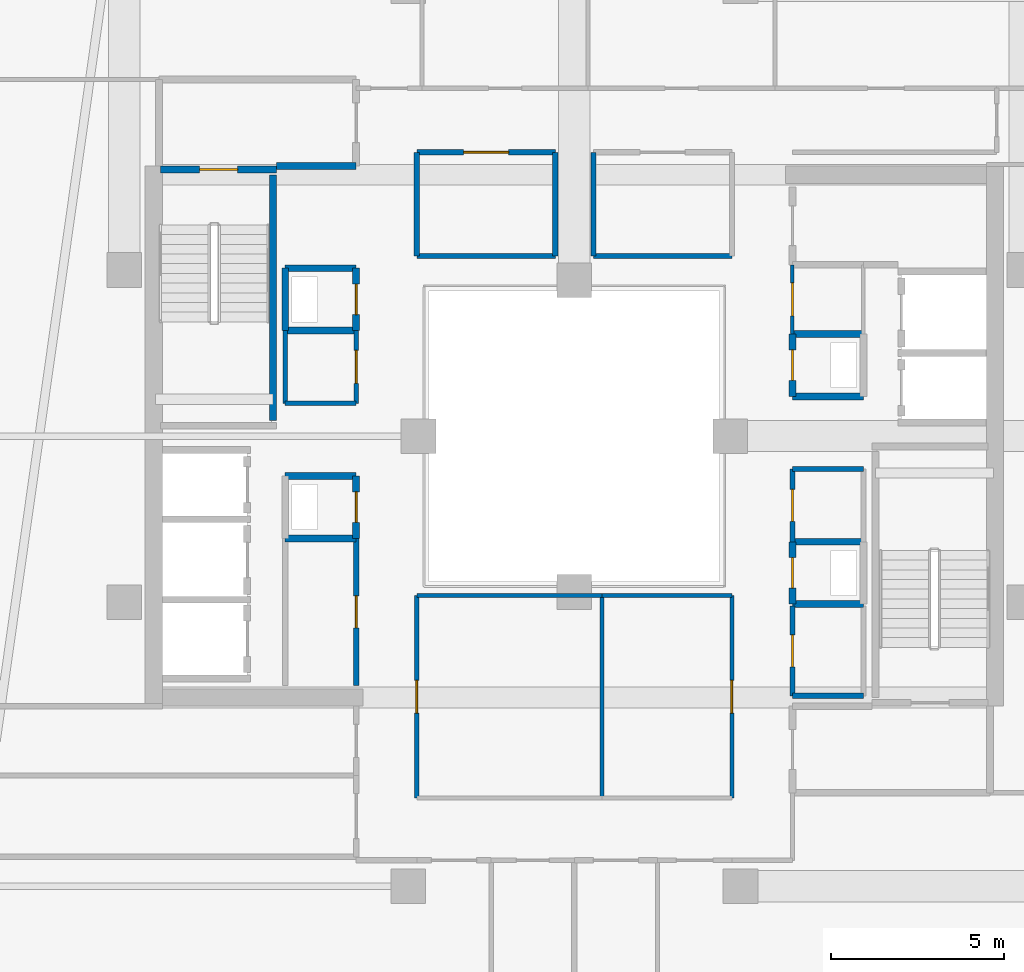
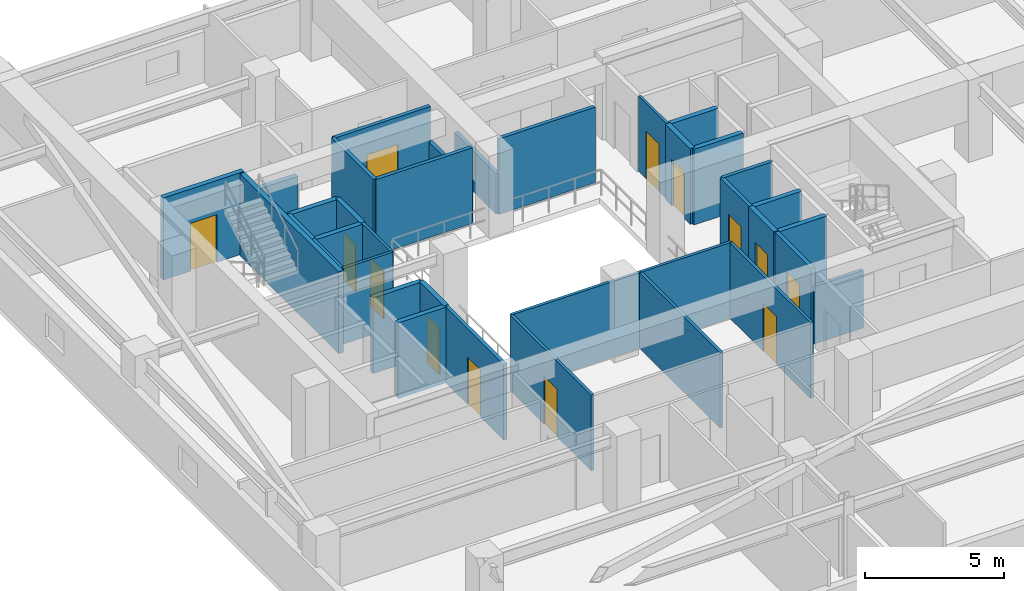
# One storey, part 25 of 34: 36 walls, 13 doors, 13 openings.
"""IFC4 building model written with IfcOpenShell, lengths in metres."""

from ifc_helpers import new_model, si_unit, direction, frame, frame_2d, origin, place, context, subcontext, project, spatial, rectangle, extrude, material, layer, layer_set, type_object, element, fill, save


model = new_model("IFC4")

# Units and contexts
model_context = context("Model", 3, precision=1e-05, world=origin(), true_north=direction((0.0, 1.0)))
body_context = subcontext(model_context, "Body", "Model", "MODEL_VIEW")
ifc_project = project(units=[si_unit("LENGTHUNIT", "METRE"), si_unit("AREAUNIT", "SQUARE_METRE"), si_unit("VOLUMEUNIT", "CUBIC_METRE"), si_unit("PLANEANGLEUNIT", "RADIAN"), si_unit("MASSUNIT", "GRAM", prefix="KILO")], contexts=[model_context])

# Site, building, storey
site_placement = place(None, origin())
site = spatial("IfcSite", under=ifc_project, at=site_placement, CompositionType="ELEMENT")
building_placement = place(site_placement, origin())
building = spatial("IfcBuilding", under=site, at=building_placement, Name="Thornwick Lancets Civic Towers", CompositionType="ELEMENT")
storey_placement = place(building_placement, frame((0.0, 0.0, 251.10009765625)))
storey = spatial("IfcBuildingStorey", under=building, at=storey_placement, Name="L67", CompositionType="ELEMENT", Elevation=251.10009765625)

# Walls
ifc_material_1 = material(Name="Concrete blockwork C40/50", Category="masonry")
ifc_layer_1 = layer(ifc_material_1, 0.199951171875, Name="Concrete blockwork C40/50")
ifc_layer_set_1 = layer_set([ifc_layer_1], Name="Concrete blockwork C40/50")
wall_type_1 = type_object("IfcWallType", Name="WALL_COMP_200", PredefinedType="STANDARD", material=ifc_layer_set_1)
wall_1_placement = place(storey_placement, frame((79.89990234375, 34.800048828125, 0.0), z_axis=(0.0, 0.0, 1.0), x_axis=(1.0, 0.0, 0.0)))
element("IfcWall", 1, at=wall_1_placement, inside=storey, type_object=wall_type_1, Name="L67 Partition L67-B-FFLOB2 E1", PredefinedType="STANDARD", context=body_context, shape_type="SweptSolid", body=[
    extrude(rectangle(XDim=2.300048828125, YDim=0.199951171875, at=frame_2d((1.14990234375, 0.0))), origin(), (0.0, 0.0, 1.0), 2.52490234375),
])
for number, where, z_axis, x_axis, name in (
    (2, (94.800048828125, 28.14990234375, 0.0), (0.0, 0.0, 1.0), (1.0, 0.0, 0.0), "L67 Partition L67-B-DUCT1 E1"),
    (3, (96.85009765625, 29.949951171875, 0.0), (0.0, 0.0, 1.0), (-1.0, 0.0, 0.0), "L67 Partition L67-B-DUCT1 E3"),
):
    element("IfcWall", number, at=place(storey_placement, frame(where, z_axis=z_axis, x_axis=x_axis)), inside=storey, type_object=wall_type_1, Name=name, PredefinedType="STANDARD", context=body_context, shape_type="SweptSolid", body=[
        extrude(rectangle(XDim=2.050048828125, YDim=0.199951171875, at=frame_2d((1.02490234375, 0.0))), origin(), (0.0, 0.0, 1.0), 3.31982421875),
    ])

# Wall, opening, door
wall_2_placement = place(storey_placement, frame((94.800048828125, 29.949951171875, 0.0), z_axis=(0.0, 0.0, 1.0), x_axis=(0.0, -1.0, 0.0)))
wall_2 = element("IfcWall", 4, at=wall_2_placement, inside=storey, type_object=wall_type_1, Name="L67 Partition L67-B-DUCT1 E4", PredefinedType="STANDARD", context=body_context, shape_type="SweptSolid", body=[
    extrude(rectangle(XDim=1.800048828125, YDim=0.199951171875, at=frame_2d((0.89990234375, 0.0))), origin(), (0.0, 0.0, 1.0), 3.31982421875),
])
opening_1_placement = place(wall_2_placement, frame((0.4599609375, 0.0, 0.0)))
opening_1 = element("IfcOpeningElement", 5, at=opening_1_placement, cuts=wall_2, Name="Opening D-L67-3047", PredefinedType="OPENING", context=body_context, shape_type="SweptSolid", body=[
    extrude(rectangle(XDim=0.8798828125, YDim=2.0400390625, at=frame_2d((0.43994140625, 1.02001953125))), frame((0.0, 0.10986328125, 0.0), z_axis=(0.0, -1.0, 0.0), x_axis=(1.0, 0.0, 0.0)), (0.0, 0.0, 1.0), 0.219970703125),
])
ifc_material_2 = material(Name="Steel riser access doorset", Category="steel")
door_type_1 = type_object("IfcDoorType", Name="DOOR_RISER_850", OperationType="NOTDEFINED", PredefinedType="DOOR", material=ifc_material_2)
door_1_placement = place(opening_1_placement, origin())
door_1 = element("IfcDoor", 6, at=door_1_placement, inside=storey, type_object=door_type_1, Name="L67 East Service Duct 1 Door", OperationType="SINGLE_SWING_RIGHT", OverallHeight=2.0400390625, OverallWidth=0.8798828125, PredefinedType="DOOR", context=body_context, shape_type="SweptSolid", body=[
    extrude(rectangle(XDim=0.8798828125, YDim=2.0400390625, at=frame_2d((0.43994140625, 1.02001953125))), frame((0.0, 0.02490234375, 0.0), z_axis=(0.0, -1.0, 0.0), x_axis=(1.0, 0.0, 0.0)), (0.0, 0.0, 1.0), 0.050048828125),
])
fill(opening_1, door_1)

# Walls
for number, where, z_axis, x_axis, name in (
    (7, (94.800048828125, 22.14990234375, 0.0), (0.0, 0.0, 1.0), (1.0, 0.0, 0.0), "L67 Partition L67-B-RISER1 E1"),
    (8, (96.85009765625, 23.949951171875, 0.0), (0.0, 0.0, 1.0), (-1.0, 0.0, 0.0), "L67 Partition L67-B-RISER1 E3"),
):
    element("IfcWall", number, at=place(storey_placement, frame(where, z_axis=z_axis, x_axis=x_axis)), inside=storey, type_object=wall_type_1, Name=name, PredefinedType="STANDARD", context=body_context, shape_type="SweptSolid", body=[
        extrude(rectangle(XDim=2.050048828125, YDim=0.199951171875, at=frame_2d((1.02490234375, 0.0))), origin(), (0.0, 0.0, 1.0), 3.31982421875),
    ])

# Wall, opening, door
wall_3_placement = place(storey_placement, frame((94.800048828125, 23.949951171875, 0.0), z_axis=(0.0, 0.0, 1.0), x_axis=(0.0, -1.0, 0.0)))
wall_3 = element("IfcWall", 9, at=wall_3_placement, inside=storey, type_object=wall_type_1, Name="L67 Partition L67-B-RISER1 E4", PredefinedType="STANDARD", context=body_context, shape_type="SweptSolid", body=[
    extrude(rectangle(XDim=1.800048828125, YDim=0.199951171875, at=frame_2d((0.89990234375, 0.0))), origin(), (0.0, 0.0, 1.0), 3.31982421875),
])
opening_2_placement = place(wall_3_placement, frame((0.4599609375, 0.0, 0.0)))
opening_2 = element("IfcOpeningElement", 10, at=opening_2_placement, cuts=wall_3, Name="Opening D-L67-3048", PredefinedType="OPENING", context=body_context, shape_type="SweptSolid", body=[
    extrude(rectangle(XDim=0.8798828125, YDim=2.0400390625, at=frame_2d((0.43994140625, 1.02001953125))), frame((0.0, 0.10986328125, 0.0), z_axis=(0.0, -1.0, 0.0), x_axis=(1.0, 0.0, 0.0)), (0.0, 0.0, 1.0), 0.219970703125),
])
door_2_placement = place(opening_2_placement, origin())
door_2 = element("IfcDoor", 11, at=door_2_placement, inside=storey, type_object=door_type_1, Name="L67 East Electrical Riser 1 Door", OperationType="SINGLE_SWING_LEFT", OverallHeight=2.0400390625, OverallWidth=0.8798828125, PredefinedType="DOOR", context=body_context, shape_type="SweptSolid", body=[
    extrude(rectangle(XDim=0.8798828125, YDim=2.0400390625, at=frame_2d((0.43994140625, 1.02001953125))), frame((0.0, 0.02490234375, 0.0), z_axis=(0.0, -1.0, 0.0), x_axis=(1.0, 0.0, 0.0)), (0.0, 0.0, 1.0), 0.050048828125),
])
fill(opening_2, door_2)

# Wall
wall_4_placement = place(storey_placement, frame((80.14990234375, 24.050048828125, 0.0), z_axis=(0.0, 0.0, 1.0), x_axis=(1.0, 0.0, 0.0)))
element("IfcWall", 12, at=wall_4_placement, inside=storey, type_object=wall_type_1, Name="L67 Partition L67-B-DUCT2 E1", PredefinedType="STANDARD", context=body_context, shape_type="SweptSolid", body=[
    extrude(rectangle(XDim=2.050048828125, YDim=0.199951171875, at=frame_2d((1.02490234375, 0.0))), origin(), (0.0, 0.0, 1.0), 3.31982421875),
])

# Wall, opening, door
wall_5_placement = place(storey_placement, frame((82.199951171875, 24.050048828125, 0.0), z_axis=(0.0, 0.0, 1.0), x_axis=(0.0, 1.0, 0.0)))
wall_5 = element("IfcWall", 13, at=wall_5_placement, inside=storey, type_object=wall_type_1, Name="L67 Partition L67-B-DUCT2 E2", PredefinedType="STANDARD", context=body_context, shape_type="SweptSolid", body=[
    extrude(rectangle(XDim=1.800048828125, YDim=0.199951171875, at=frame_2d((0.89990234375, 0.0))), origin(), (0.0, 0.0, 1.0), 3.31982421875),
])
opening_3_placement = place(wall_5_placement, frame((0.4599609375, 0.0, 0.0)))
opening_3 = element("IfcOpeningElement", 14, at=opening_3_placement, cuts=wall_5, Name="Opening D-L67-3049", PredefinedType="OPENING", context=body_context, shape_type="SweptSolid", body=[
    extrude(rectangle(XDim=0.8798828125, YDim=2.0400390625, at=frame_2d((0.43994140625, 1.02001953125))), frame((0.0, 0.10986328125, 0.0), z_axis=(0.0, -1.0, 0.0), x_axis=(1.0, 0.0, 0.0)), (0.0, 0.0, 1.0), 0.219970703125),
])
door_3_placement = place(opening_3_placement, origin())
door_3 = element("IfcDoor", 15, at=door_3_placement, inside=storey, type_object=door_type_1, Name="L67 West Service Duct 2 Door", OperationType="SINGLE_SWING_RIGHT", OverallHeight=2.0400390625, OverallWidth=0.8798828125, PredefinedType="DOOR", context=body_context, shape_type="SweptSolid", body=[
    extrude(rectangle(XDim=0.8798828125, YDim=2.0400390625, at=frame_2d((0.43994140625, 1.02001953125))), frame((0.0, 0.02490234375, 0.0), z_axis=(0.0, -1.0, 0.0), x_axis=(1.0, 0.0, 0.0)), (0.0, 0.0, 1.0), 0.050048828125),
])
fill(opening_3, door_3)

# Walls
for number, where, z_axis, x_axis, name in (
    (16, (82.199951171875, 25.85009765625, 0.0), (0.0, 0.0, 1.0), (-1.0, 0.0, 0.0), "L67 Partition L67-B-DUCT2 E3"),
    (17, (80.14990234375, 30.050048828125, 0.0), (0.0, 0.0, 1.0), (1.0, 0.0, 0.0), "L67 Partition L67-B-RISER2 E1"),
):
    element("IfcWall", number, at=place(storey_placement, frame(where, z_axis=z_axis, x_axis=x_axis)), inside=storey, type_object=wall_type_1, Name=name, PredefinedType="STANDARD", context=body_context, shape_type="SweptSolid", body=[
        extrude(rectangle(XDim=2.050048828125, YDim=0.199951171875, at=frame_2d((1.02490234375, 0.0))), origin(), (0.0, 0.0, 1.0), 3.31982421875),
    ])

# Wall, opening, door
wall_6_placement = place(storey_placement, frame((82.199951171875, 30.050048828125, 0.0), z_axis=(0.0, 0.0, 1.0), x_axis=(0.0, 1.0, 0.0)))
wall_6 = element("IfcWall", 18, at=wall_6_placement, inside=storey, type_object=wall_type_1, Name="L67 Partition L67-B-RISER2 E2", PredefinedType="STANDARD", context=body_context, shape_type="SweptSolid", body=[
    extrude(rectangle(XDim=1.800048828125, YDim=0.199951171875, at=frame_2d((0.89990234375, 0.0))), origin(), (0.0, 0.0, 1.0), 3.31982421875),
])
opening_4_placement = place(wall_6_placement, frame((0.4599609375, 0.0, 0.0)))
opening_4 = element("IfcOpeningElement", 19, at=opening_4_placement, cuts=wall_6, Name="Opening D-L67-3050", PredefinedType="OPENING", context=body_context, shape_type="SweptSolid", body=[
    extrude(rectangle(XDim=0.8798828125, YDim=2.0400390625, at=frame_2d((0.43994140625, 1.02001953125))), frame((0.0, 0.10986328125, 0.0), z_axis=(0.0, -1.0, 0.0), x_axis=(1.0, 0.0, 0.0)), (0.0, 0.0, 1.0), 0.219970703125),
])
door_4_placement = place(opening_4_placement, origin())
door_4 = element("IfcDoor", 20, at=door_4_placement, inside=storey, type_object=door_type_1, Name="L67 West Service Riser 2 Door", OperationType="SINGLE_SWING_LEFT", OverallHeight=2.0400390625, OverallWidth=0.8798828125, PredefinedType="DOOR", context=body_context, shape_type="SweptSolid", body=[
    extrude(rectangle(XDim=0.8798828125, YDim=2.0400390625, at=frame_2d((0.43994140625, 1.02001953125))), frame((0.0, 0.02490234375, 0.0), z_axis=(0.0, -1.0, 0.0), x_axis=(1.0, 0.0, 0.0)), (0.0, 0.0, 1.0), 0.050048828125),
])
fill(opening_4, door_4)

# Walls
wall_7_placement = place(storey_placement, frame((82.199951171875, 31.85009765625, 0.0), z_axis=(0.0, 0.0, 1.0), x_axis=(-1.0, 0.0, 0.0)))
element("IfcWall", 21, at=wall_7_placement, inside=storey, type_object=wall_type_1, Name="L67 Partition L67-B-RISER2 E3", PredefinedType="STANDARD", context=body_context, shape_type="SweptSolid", body=[
    extrude(rectangle(XDim=2.050048828125, YDim=0.199951171875, at=frame_2d((1.02490234375, 0.0))), origin(), (0.0, 0.0, 1.0), 3.31982421875),
])
wall_8_placement = place(storey_placement, frame((80.14990234375, 31.85009765625, 0.0), z_axis=(0.0, 0.0, 1.0), x_axis=(0.0, -1.0, 0.0)))
element("IfcWall", 22, at=wall_8_placement, inside=storey, type_object=wall_type_1, Name="L67 Partition L67-B-RISER2 E4", PredefinedType="STANDARD", context=body_context, shape_type="SweptSolid", body=[
    extrude(rectangle(XDim=1.800048828125, YDim=0.199951171875, at=frame_2d((0.89990234375, 0.0))), origin(), (0.0, 0.0, 1.0), 3.31982421875),
])

# Wall, opening, door
ifc_material_3 = material(Name="Lightweight cellular office partition")
ifc_layer_2 = layer(ifc_material_3, 0.10009765625, Name="Lightweight cellular office partition")
ifc_layer_set_2 = layer_set([ifc_layer_2], Name="Lightweight cellular office partition")
wall_type_2 = type_object("IfcWallType", Name="WALL_PART_100", PredefinedType="PARTITIONING", material=ifc_layer_set_2)
wall_9_placement = place(storey_placement, frame((94.800048828125, 29.949951171875, 0.0), z_axis=(0.0, 0.0, 1.0), x_axis=(0.0, 1.0, 0.0)))
wall_9 = element("IfcWall", 23, at=wall_9_placement, inside=storey, type_object=wall_type_2, Name="L67 Partition L67-B-CLN E1", PredefinedType="PARTITIONING", context=body_context, shape_type="SweptSolid", body=[
    extrude(rectangle(XDim=2.0, YDim=0.10009765625, at=frame_2d((1.0, 0.0))), origin(), (0.0, 0.0, 1.0), 3.31982421875),
])
opening_5_placement = place(wall_9_placement, frame((0.52490234375, 0.0, 0.0)))
opening_5 = element("IfcOpeningElement", 24, at=opening_5_placement, cuts=wall_9, Name="Opening D-L67-3053", PredefinedType="OPENING", context=body_context, shape_type="SweptSolid", body=[
    extrude(rectangle(XDim=0.949951171875, YDim=2.10009765625, at=frame_2d((0.47509765625, 1.050048828125))), frame((0.0, 0.06005859375, 0.0), z_axis=(0.0, -1.0, 0.0), x_axis=(1.0, 0.0, 0.0)), (0.0, 0.0, 1.0), 0.1201171875),
])
ifc_material_4 = material(Name="European oak acoustic doorset")
door_type_2 = type_object("IfcDoorType", Name="DOOR_OFFICE_950", OperationType="NOTDEFINED", PredefinedType="DOOR", material=ifc_material_4)
door_5_placement = place(opening_5_placement, origin())
door_5 = element("IfcDoor", 25, at=door_5_placement, inside=storey, type_object=door_type_2, Name="L67 Tower B Cleaners Store Door", OperationType="SINGLE_SWING_RIGHT", OverallHeight=2.10009765625, OverallWidth=0.949951171875, PredefinedType="DOOR", context=body_context, shape_type="SweptSolid", body=[
    extrude(rectangle(XDim=0.949951171875, YDim=2.10009765625, at=frame_2d((0.47509765625, 1.050048828125))), frame((0.0, 0.02490234375, 0.0), z_axis=(0.0, -1.0, 0.0), x_axis=(1.0, 0.0, 0.0)), (0.0, 0.0, 1.0), 0.050048828125),
])
fill(opening_5, door_5)

# Walls
ifc_material_5 = material(Name="Acoustic gypsum board partition")
ifc_layer_3 = layer(ifc_material_5, 0.1201171875, Name="Acoustic gypsum board partition")
ifc_layer_set_3 = layer_set([ifc_layer_3], Name="Acoustic gypsum board partition")
wall_type_3 = type_object("IfcWallType", Name="WALL_PART_120", PredefinedType="PARTITIONING", material=ifc_layer_set_3)
wall_10_placement = place(storey_placement, frame((82.199951171875, 27.949951171875, 0.0), z_axis=(0.0, 0.0, 1.0), x_axis=(-1.0, 0.0, 0.0)))
element("IfcWall", 26, at=wall_10_placement, inside=storey, type_object=wall_type_3, Name="L67 Partition L67-B-ITR E1", PredefinedType="PARTITIONING", context=body_context, shape_type="SweptSolid", body=[
    extrude(rectangle(XDim=2.050048828125, YDim=0.1201171875, at=frame_2d((1.02490234375, 0.0))), origin(), (0.0, 0.0, 1.0), 3.31982421875),
])
wall_11_placement = place(storey_placement, frame((80.14990234375, 27.949951171875, 0.0), z_axis=(0.0, 0.0, 1.0), x_axis=(0.0, 1.0, 0.0)))
element("IfcWall", 27, at=wall_11_placement, inside=storey, type_object=wall_type_3, Name="L67 Partition L67-B-ITR E2", PredefinedType="PARTITIONING", context=body_context, shape_type="SweptSolid", body=[
    extrude(rectangle(XDim=2.10009765625, YDim=0.1201171875, at=frame_2d((1.050048828125, 0.0))), origin(), (0.0, 0.0, 1.0), 3.31982421875),
])

# Wall, opening, door
wall_12_placement = place(storey_placement, frame((82.199951171875, 30.050048828125, 0.0), z_axis=(0.0, 0.0, 1.0), x_axis=(0.0, -1.0, 0.0)))
wall_12 = element("IfcWall", 28, at=wall_12_placement, inside=storey, type_object=wall_type_3, Name="L67 Partition L67-B-ITR E4", PredefinedType="PARTITIONING", context=body_context, shape_type="SweptSolid", body=[
    extrude(rectangle(XDim=2.10009765625, YDim=0.1201171875, at=frame_2d((1.050048828125, 0.0))), origin(), (0.0, 0.0, 1.0), 3.31982421875),
])
opening_6_placement = place(wall_12_placement, frame((0.574951171875, 0.0, 0.0)))
opening_6 = element("IfcOpeningElement", 29, at=opening_6_placement, cuts=wall_12, Name="Opening D-L67-3056", PredefinedType="OPENING", context=body_context, shape_type="SweptSolid", body=[
    extrude(rectangle(XDim=0.949951171875, YDim=2.10009765625, at=frame_2d((0.47509765625, 1.050048828125))), frame((0.0, 0.070068359375, 0.0), z_axis=(0.0, -1.0, 0.0), x_axis=(1.0, 0.0, 0.0)), (0.0, 0.0, 1.0), 0.14013671875),
])
door_6_placement = place(opening_6_placement, origin())
door_6 = element("IfcDoor", 30, at=door_6_placement, inside=storey, type_object=door_type_2, Name="L67 Tower B Comms Patch Room Door", OperationType="SINGLE_SWING_LEFT", OverallHeight=2.10009765625, OverallWidth=0.949951171875, PredefinedType="DOOR", context=body_context, shape_type="SweptSolid", body=[
    extrude(rectangle(XDim=0.949951171875, YDim=2.10009765625, at=frame_2d((0.47509765625, 1.050048828125))), frame((0.0, 0.02490234375, 0.0), z_axis=(0.0, -1.0, 0.0), x_axis=(1.0, 0.0, 0.0)), (0.0, 0.0, 1.0), 0.050048828125),
])
fill(opening_6, door_6)

# Walls
wall_13_placement = place(storey_placement, frame((89.300048828125, 16.550048828125, 0.0), z_axis=(0.0, 0.0, 1.0), x_axis=(0.0, 1.0, 0.0)))
element("IfcWall", 31, at=wall_13_placement, inside=storey, type_object=wall_type_3, Name="L67 Partition L67-B-W3 E1", PredefinedType="PARTITIONING", context=body_context, shape_type="SweptSolid", body=[
    extrude(rectangle(XDim=5.849853515625, YDim=0.1201171875, at=frame_2d((2.9248046875, 0.0))), origin(), (0.0, 0.0, 1.0), 3.31982421875),
])
wall_14_placement = place(storey_placement, frame((89.300048828125, 22.39990234375, 0.0), z_axis=(0.0, 0.0, 1.0), x_axis=(1.0, 0.0, 0.0)))
element("IfcWall", 32, at=wall_14_placement, inside=storey, type_object=wall_type_3, Name="L67 Partition L67-B-W3 E2", PredefinedType="PARTITIONING", context=body_context, shape_type="SweptSolid", body=[
    extrude(rectangle(XDim=3.75, YDim=0.1201171875, at=frame_2d((1.875, 0.0))), origin(), (0.0, 0.0, 1.0), 3.31982421875),
])

# Wall, opening, door
wall_15_placement = place(storey_placement, frame((93.050048828125, 22.39990234375, 0.0), z_axis=(0.0, 0.0, 1.0), x_axis=(0.0, -1.0, 0.0)))
wall_15 = element("IfcWall", 33, at=wall_15_placement, inside=storey, type_object=wall_type_3, Name="L67 Partition L67-B-W3 E3", PredefinedType="PARTITIONING", context=body_context, shape_type="SweptSolid", body=[
    extrude(rectangle(XDim=5.849853515625, YDim=0.1201171875, at=frame_2d((2.9248046875, 0.0))), origin(), (0.0, 0.0, 1.0), 3.31982421875),
])
opening_7_placement = place(wall_15_placement, frame((2.449951171875, 0.0, 0.0)))
opening_7 = element("IfcOpeningElement", 34, at=opening_7_placement, cuts=wall_15, Name="Opening D-L67-3079", PredefinedType="OPENING", context=body_context, shape_type="SweptSolid", body=[
    extrude(rectangle(XDim=0.949951171875, YDim=2.10009765625, at=frame_2d((0.47509765625, 1.050048828125))), frame((0.0, 0.070068359375, 0.0), z_axis=(0.0, -1.0, 0.0), x_axis=(1.0, 0.0, 0.0)), (0.0, 0.0, 1.0), 0.14013671875),
])
door_7_placement = place(opening_7_placement, origin())
door_7 = element("IfcDoor", 35, at=door_7_placement, inside=storey, type_object=door_type_2, Name="L67 Tower B Staff Tea Pantry and Lounge Door", OperationType="SINGLE_SWING_RIGHT", OverallHeight=2.10009765625, OverallWidth=0.949951171875, PredefinedType="DOOR", context=body_context, shape_type="SweptSolid", body=[
    extrude(rectangle(XDim=0.949951171875, YDim=2.10009765625, at=frame_2d((0.47509765625, 1.050048828125))), frame((0.0, 0.02490234375, 0.0), z_axis=(0.0, -1.0, 0.0), x_axis=(1.0, 0.0, 0.0)), (0.0, 0.0, 1.0), 0.050048828125),
])
fill(opening_7, door_7)

wall_16_placement = place(storey_placement, frame((83.949951171875, 16.550048828125, 0.0), z_axis=(0.0, 0.0, 1.0), x_axis=(0.0, 1.0, 0.0)))
wall_16 = element("IfcWall", 36, at=wall_16_placement, inside=storey, type_object=wall_type_3, Name="L67 Partition L67-B-W4 E1", PredefinedType="PARTITIONING", context=body_context, shape_type="SweptSolid", body=[
    extrude(rectangle(XDim=5.849853515625, YDim=0.1201171875, at=frame_2d((2.9248046875, 0.0))), origin(), (0.0, 0.0, 1.0), 3.31982421875),
])
opening_8_placement = place(wall_16_placement, frame((2.449951171875, 0.0, 0.0)))
opening_8 = element("IfcOpeningElement", 37, at=opening_8_placement, cuts=wall_16, Name="Opening D-L67-3080", PredefinedType="OPENING", context=body_context, shape_type="SweptSolid", body=[
    extrude(rectangle(XDim=0.949951171875, YDim=2.10009765625, at=frame_2d((0.47509765625, 1.050048828125))), frame((0.0, 0.070068359375, 0.0), z_axis=(0.0, -1.0, 0.0), x_axis=(1.0, 0.0, 0.0)), (0.0, 0.0, 1.0), 0.14013671875),
])
door_8_placement = place(opening_8_placement, origin())
door_8 = element("IfcDoor", 38, at=door_8_placement, inside=storey, type_object=door_type_2, Name="L67 Tower B Statutory Research Library W4 Door", OperationType="SINGLE_SWING_LEFT", OverallHeight=2.10009765625, OverallWidth=0.949951171875, PredefinedType="DOOR", context=body_context, shape_type="SweptSolid", body=[
    extrude(rectangle(XDim=0.949951171875, YDim=2.10009765625, at=frame_2d((0.47509765625, 1.050048828125))), frame((0.0, 0.02490234375, 0.0), z_axis=(0.0, -1.0, 0.0), x_axis=(1.0, 0.0, 0.0)), (0.0, 0.0, 1.0), 0.050048828125),
])
fill(opening_8, door_8)

# Walls
wall_17_placement = place(storey_placement, frame((83.949951171875, 22.39990234375, 0.0), z_axis=(0.0, 0.0, 1.0), x_axis=(1.0, 0.0, 0.0)))
element("IfcWall", 39, at=wall_17_placement, inside=storey, type_object=wall_type_3, Name="L67 Partition L67-B-W4 E2", PredefinedType="PARTITIONING", context=body_context, shape_type="SweptSolid", body=[
    extrude(rectangle(XDim=5.35009765625, YDim=0.1201171875, at=frame_2d((2.675048828125, 0.0))), origin(), (0.0, 0.0, 1.0), 3.31982421875),
])
ifc_material_6 = material(Name="Twin-stud acoustic gypsum board")
ifc_layer_4 = layer(ifc_material_6, 0.14990234375, Name="Twin-stud acoustic gypsum board")
ifc_layer_set_4 = layer_set([ifc_layer_4], Name="Twin-stud acoustic gypsum board")
wall_type_4 = type_object("IfcWallType", Name="WALL_PART_150", PredefinedType="PARTITIONING", material=ifc_layer_set_4)
wall_18_placement = place(storey_placement, frame((94.800048828125, 19.5, 0.0), z_axis=(0.0, 0.0, 1.0), x_axis=(1.0, 0.0, 0.0)))
element("IfcWall", 40, at=wall_18_placement, inside=storey, type_object=wall_type_4, Name="L67 Partition L67-B-MWC E1", PredefinedType="PARTITIONING", context=body_context, shape_type="SweptSolid", body=[
    extrude(rectangle(XDim=2.050048828125, YDim=0.14990234375, at=frame_2d((1.02490234375, 0.0))), origin(), (0.0, 0.0, 1.0), 2.52490234375),
])

# Wall, opening, door
wall_19_placement = place(storey_placement, frame((94.800048828125, 22.10009765625, 0.0), z_axis=(0.0, 0.0, 1.0), x_axis=(0.0, -1.0, 0.0)))
wall_19 = element("IfcWall", 41, at=wall_19_placement, inside=storey, type_object=wall_type_4, Name="L67 Partition L67-B-MWC E4", PredefinedType="PARTITIONING", context=body_context, shape_type="SweptSolid", body=[
    extrude(rectangle(XDim=2.60009765625, YDim=0.14990234375, at=frame_2d((1.300048828125, 0.0))), origin(), (0.0, 0.0, 1.0), 3.31982421875),
])
opening_9_placement = place(wall_19_placement, frame((0.840087890625, 0.0, 0.0)))
opening_9 = element("IfcOpeningElement", 42, at=opening_9_placement, cuts=wall_19, Name="Opening D-L67-3051", PredefinedType="OPENING", context=body_context, shape_type="SweptSolid", body=[
    extrude(rectangle(XDim=0.919921875, YDim=2.080078125, at=frame_2d((0.4599609375, 1.0400390625))), frame((0.0, 0.0849609375, 0.0), z_axis=(0.0, -1.0, 0.0), x_axis=(1.0, 0.0, 0.0)), (0.0, 0.0, 1.0), 0.169921875),
])
ifc_material_7 = material(Name="Moisture-resistant oak doorset")
door_type_3 = type_object("IfcDoorType", Name="DOOR_WC_900", OperationType="NOTDEFINED", PredefinedType="DOOR", material=ifc_material_7)
door_9_placement = place(opening_9_placement, origin())
door_9 = element("IfcDoor", 43, at=door_9_placement, inside=storey, type_object=door_type_3, Name="L67 Tower B Male WC Door", OperationType="SINGLE_SWING_RIGHT", OverallHeight=2.080078125, OverallWidth=0.919921875, PredefinedType="DOOR", context=body_context, shape_type="SweptSolid", body=[
    extrude(rectangle(XDim=0.919921875, YDim=2.080078125, at=frame_2d((0.4599609375, 1.0400390625))), frame((0.0, 0.02490234375, 0.0), z_axis=(0.0, -1.0, 0.0), x_axis=(1.0, 0.0, 0.0)), (0.0, 0.0, 1.0), 0.050048828125),
])
fill(opening_9, door_9)

wall_20_placement = place(storey_placement, frame((94.800048828125, 23.949951171875, 0.0), z_axis=(0.0, 0.0, 1.0), x_axis=(0.0, 1.0, 0.0)))
wall_20 = element("IfcWall", 44, at=wall_20_placement, inside=storey, type_object=wall_type_4, Name="L67 Partition L67-B-AWC E1", PredefinedType="PARTITIONING", context=body_context, shape_type="SweptSolid", body=[
    extrude(rectangle(XDim=2.10009765625, YDim=0.14990234375, at=frame_2d((1.050048828125, 0.0))), origin(), (0.0, 0.0, 1.0), 3.31982421875),
])
opening_10_placement = place(wall_20_placement, frame((0.590087890625, 0.0, 0.0)))
opening_10 = element("IfcOpeningElement", 45, at=opening_10_placement, cuts=wall_20, Name="Opening D-L67-3052", PredefinedType="OPENING", context=body_context, shape_type="SweptSolid", body=[
    extrude(rectangle(XDim=0.919921875, YDim=2.080078125, at=frame_2d((0.4599609375, 1.0400390625))), frame((0.0, 0.0849609375, 0.0), z_axis=(0.0, -1.0, 0.0), x_axis=(1.0, 0.0, 0.0)), (0.0, 0.0, 1.0), 0.169921875),
])
door_10_placement = place(opening_10_placement, origin())
door_10 = element("IfcDoor", 46, at=door_10_placement, inside=storey, type_object=door_type_3, Name="L67 Tower B Accessible WC Door", OperationType="SINGLE_SWING_LEFT", OverallHeight=2.080078125, OverallWidth=0.919921875, PredefinedType="DOOR", context=body_context, shape_type="SweptSolid", body=[
    extrude(rectangle(XDim=0.919921875, YDim=2.080078125, at=frame_2d((0.4599609375, 1.0400390625))), frame((0.0, 0.02490234375, 0.0), z_axis=(0.0, -1.0, 0.0), x_axis=(1.0, 0.0, 0.0)), (0.0, 0.0, 1.0), 0.050048828125),
])
fill(opening_10, door_10)

# Wall
wall_21_placement = place(storey_placement, frame((94.800048828125, 26.050048828125, 0.0), z_axis=(0.0, 0.0, 1.0), x_axis=(1.0, 0.0, 0.0)))
element("IfcWall", 47, at=wall_21_placement, inside=storey, type_object=wall_type_4, Name="L67 Partition L67-B-AWC E2", PredefinedType="PARTITIONING", context=body_context, shape_type="SweptSolid", body=[
    extrude(rectangle(XDim=2.050048828125, YDim=0.14990234375, at=frame_2d((1.02490234375, 0.0))), origin(), (0.0, 0.0, 1.0), 3.31982421875),
])

# Wall, opening, door
wall_22_placement = place(storey_placement, frame((82.199951171875, 24.050048828125, 0.0), z_axis=(0.0, 0.0, 1.0), x_axis=(0.0, -1.0, 0.0)))
wall_22 = element("IfcWall", 48, at=wall_22_placement, inside=storey, type_object=wall_type_4, Name="L67 Partition L67-B-FWC E4", PredefinedType="PARTITIONING", context=body_context, shape_type="SweptSolid", body=[
    extrude(rectangle(XDim=4.25, YDim=0.14990234375, at=frame_2d((2.125, 0.0))), origin(), (0.0, 0.0, 1.0), 3.31982421875),
])
opening_11_placement = place(wall_22_placement, frame((1.6650390625, 0.0, 0.0)))
opening_11 = element("IfcOpeningElement", 49, at=opening_11_placement, cuts=wall_22, Name="Opening D-L67-3055", PredefinedType="OPENING", context=body_context, shape_type="SweptSolid", body=[
    extrude(rectangle(XDim=0.919921875, YDim=2.080078125, at=frame_2d((0.4599609375, 1.0400390625))), frame((0.0, 0.0849609375, 0.0), z_axis=(0.0, -1.0, 0.0), x_axis=(1.0, 0.0, 0.0)), (0.0, 0.0, 1.0), 0.169921875),
])
door_11_placement = place(opening_11_placement, origin())
door_11 = element("IfcDoor", 50, at=door_11_placement, inside=storey, type_object=door_type_3, Name="L67 Tower B Female WC Door", OperationType="SINGLE_SWING_RIGHT", OverallHeight=2.080078125, OverallWidth=0.919921875, PredefinedType="DOOR", context=body_context, shape_type="SweptSolid", body=[
    extrude(rectangle(XDim=0.919921875, YDim=2.080078125, at=frame_2d((0.4599609375, 1.0400390625))), frame((0.0, 0.02490234375, 0.0), z_axis=(0.0, -1.0, 0.0), x_axis=(1.0, 0.0, 0.0)), (0.0, 0.0, 1.0), 0.050048828125),
])
fill(opening_11, door_11)

# Walls
wall_23_placement = place(storey_placement, frame((89.050048828125, 32.199951171875, 0.0), z_axis=(0.0, 0.0, 1.0), x_axis=(0.0, 1.0, 0.0)))
element("IfcWall", 51, at=wall_23_placement, inside=storey, type_object=wall_type_4, Name="L67 Partition L67-B-E-ATR-1 E1", PredefinedType="PARTITIONING", context=body_context, shape_type="SweptSolid", body=[
    extrude(rectangle(XDim=3.0, YDim=0.14990234375, at=frame_2d((1.5, 0.0))), origin(), (0.0, 0.0, 1.0), 1.784912109375),
])
for number, where, z_axis, x_axis, name in (
    (52, (93.050048828125, 32.199951171875, 0.0), (0.0, 0.0, 1.0), (-1.0, 0.0, 0.0), "L67 Partition L67-B-E-ATR-1 E4"),
    (53, (87.949951171875, 32.199951171875, 0.0), (0.0, 0.0, 1.0), (-1.0, 0.0, 0.0), "L67 Partition L67-B-E-ATR-2 E1"),
):
    element("IfcWall", number, at=place(storey_placement, frame(where, z_axis=z_axis, x_axis=x_axis)), inside=storey, type_object=wall_type_4, Name=name, PredefinedType="PARTITIONING", context=body_context, shape_type="SweptSolid", body=[
        extrude(rectangle(XDim=4.0, YDim=0.14990234375, at=frame_2d((2.0, 0.0))), origin(), (0.0, 0.0, 1.0), 3.31982421875),
    ])
wall_24_placement = place(storey_placement, frame((83.949951171875, 32.199951171875, 0.0), z_axis=(0.0, 0.0, 1.0), x_axis=(0.0, 1.0, 0.0)))
element("IfcWall", 54, at=wall_24_placement, inside=storey, type_object=wall_type_4, Name="L67 Partition L67-B-E-ATR-2 E2", PredefinedType="PARTITIONING", context=body_context, shape_type="SweptSolid", body=[
    extrude(rectangle(XDim=3.0, YDim=0.14990234375, at=frame_2d((1.5, 0.0))), origin(), (0.0, 0.0, 1.0), 3.31982421875),
])

# Wall, opening, door
wall_25_placement = place(storey_placement, frame((83.949951171875, 35.199951171875, 0.0), z_axis=(0.0, 0.0, 1.0), x_axis=(1.0, 0.0, 0.0)))
wall_25 = element("IfcWall", 55, at=wall_25_placement, inside=storey, type_object=wall_type_4, Name="L67 Partition L67-B-E-ATR-2 E3", PredefinedType="PARTITIONING", context=body_context, shape_type="SweptSolid", body=[
    extrude(rectangle(XDim=4.0, YDim=0.14990234375, at=frame_2d((2.0, 0.0))), origin(), (0.0, 0.0, 1.0), 3.31982421875),
])
opening_12_placement = place(wall_25_placement, frame((1.35009765625, 0.0, 0.0)))
opening_12 = element("IfcOpeningElement", 56, at=opening_12_placement, cuts=wall_25, Name="Opening D-L67-3086", PredefinedType="OPENING", context=body_context, shape_type="SweptSolid", body=[
    extrude(rectangle(XDim=1.300048828125, YDim=2.1201171875, at=frame_2d((0.64990234375, 1.06005859375))), frame((0.0, 0.0849609375, 0.0), z_axis=(0.0, -1.0, 0.0), x_axis=(1.0, 0.0, 0.0)), (0.0, 0.0, 1.0), 0.169921875),
])
ifc_material_8 = material(Name="Acoustic oak leaf-and-a-half doorset")
door_type_4 = type_object("IfcDoorType", Name="DOOR_MEET_1300", OperationType="DOUBLE_DOOR_SINGLE_SWING", PredefinedType="DOOR", material=ifc_material_8)
door_12_placement = place(opening_12_placement, origin())
door_12 = element("IfcDoor", 57, at=door_12_placement, inside=storey, type_object=door_type_4, Name="L67 Tower B Atrium Consultation Chamber Door", OperationType="DOUBLE_DOOR_SINGLE_SWING", OverallHeight=2.1201171875, OverallWidth=1.300048828125, PredefinedType="DOOR", context=body_context, shape_type="SweptSolid", body=[
    extrude(rectangle(XDim=1.300048828125, YDim=2.1201171875, at=frame_2d((0.64990234375, 1.06005859375))), frame((0.0, 0.02490234375, 0.0), z_axis=(0.0, -1.0, 0.0), x_axis=(1.0, 0.0, 0.0)), (0.0, 0.0, 1.0), 0.050048828125),
])
fill(opening_12, door_12)

# Wall
wall_26_placement = place(storey_placement, frame((87.949951171875, 35.199951171875, 0.0), z_axis=(0.0, 0.0, 1.0), x_axis=(0.0, -1.0, 0.0)))
element("IfcWall", 58, at=wall_26_placement, inside=storey, type_object=wall_type_4, Name="L67 Partition L67-B-E-ATR-2 E4", PredefinedType="PARTITIONING", context=body_context, shape_type="SweptSolid", body=[
    extrude(rectangle(XDim=3.0, YDim=0.14990234375, at=frame_2d((1.5, 0.0))), origin(), (0.0, 0.0, 1.0), 1.784912109375),
])

# Wall, opening, door
ifc_material_9 = material(Name="Concrete C40/50", Category="concrete")
ifc_layer_5 = layer(ifc_material_9, 0.199951171875, Name="Concrete C40/50")
ifc_layer_set_5 = layer_set([ifc_layer_5], Name="Concrete C40/50")
wall_type_5 = type_object("IfcWallType", Name="WALL_SHAFT_200", PredefinedType="SHEAR", material=ifc_layer_set_5)
wall_27_placement = place(storey_placement, frame((76.550048828125, 34.699951171875, 0.0), z_axis=(0.0, 0.0, 1.0), x_axis=(1.0, 0.0, 0.0)))
wall_27 = element("IfcWall", 59, at=wall_27_placement, inside=storey, type_object=wall_type_5, Name="L67 ST-B2 Fire Stair Core Wall NEAR", PredefinedType="SHEAR", context=body_context, shape_type="SweptSolid", body=[
    extrude(rectangle(XDim=3.349853515625, YDim=0.199951171875, at=frame_2d((1.6748046875, 0.0))), origin(), (0.0, 0.0, 1.0), 3.599853515625),
])
opening_13_placement = place(wall_27_placement, frame((1.125, 0.0, 0.0)))
opening_13 = element("IfcOpeningElement", 60, at=opening_13_placement, cuts=wall_27, Name="Opening D-ST-B2-L67", PredefinedType="OPENING", context=body_context, shape_type="SweptSolid", body=[
    extrude(rectangle(XDim=1.10009765625, YDim=2.10009765625, at=frame_2d((0.550048828125, 1.050048828125))), frame((0.0, 0.10986328125, 0.0), z_axis=(0.0, -1.0, 0.0), x_axis=(1.0, 0.0, 0.0)), (0.0, 0.0, 1.0), 0.219970703125),
])
ifc_material_10 = material(Name="Fire-resisting steel and hardwood", Category="steel")
door_type_5 = type_object("IfcDoorType", Name="DOOR_STAIR_FD60", OperationType="NOTDEFINED", PredefinedType="DOOR", material=ifc_material_10)
door_13_placement = place(opening_13_placement, origin())
door_13 = element("IfcDoor", 61, at=door_13_placement, inside=storey, type_object=door_type_5, Name="L67 ST-B2 Exit Stair Door", OperationType="SINGLE_SWING_LEFT", OverallHeight=2.10009765625, OverallWidth=1.10009765625, PredefinedType="DOOR", context=body_context, shape_type="SweptSolid", body=[
    extrude(rectangle(XDim=1.10009765625, YDim=2.10009765625, at=frame_2d((0.550048828125, 1.050048828125))), frame((0.0, 0.02490234375, 0.0), z_axis=(0.0, -1.0, 0.0), x_axis=(1.0, 0.0, 0.0)), (0.0, 0.0, 1.0), 0.050048828125),
])
fill(opening_13, door_13)

# Wall
wall_28_placement = place(storey_placement, frame((79.797119140625, 27.449951171875, 0.0), z_axis=(0.0, 0.0, 1.0), x_axis=(0.0, 1.0, 0.0)))
element("IfcWall", 62, at=wall_28_placement, inside=storey, type_object=wall_type_5, Name="L67 ST-B2 Fire Stair Core Wall RIGHT", PredefinedType="SHEAR", context=body_context, shape_type="SweptSolid", body=[
    extrude(rectangle(XDim=7.10009765625, YDim=0.199951171875, at=frame_2d((3.550048828125, 0.0))), origin(), (0.0, 0.0, 1.0), 3.599853515625),
])

save(model, "model.ifc")
